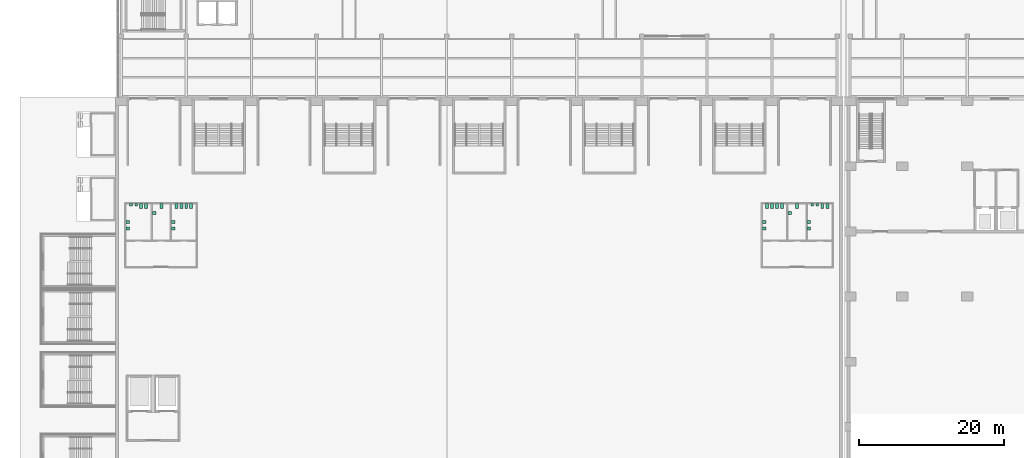
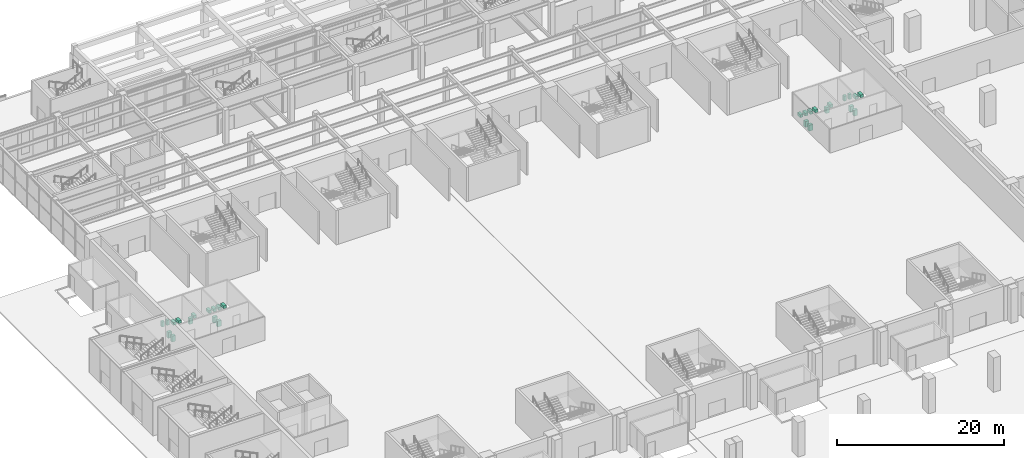
# One storey, part 75 of 77: 28 sanitary terminals.
"""IFC4 building model written with IfcOpenShell, lengths in metres."""

from ifc_helpers import new_model, si_unit, direction, frame, origin, origin_2d, place, context, subcontext, project, spatial, rectangle, extrude, material, type_object, element, save


model = new_model("IFC4")

# Units and contexts
model_context = context("Model", 3, precision=1e-05, world=origin(), true_north=direction((0.0, 1.0)))
body_context = subcontext(model_context, "Body", "Model", "MODEL_VIEW")
ifc_project = project(units=[si_unit("LENGTHUNIT", "METRE"), si_unit("AREAUNIT", "SQUARE_METRE"), si_unit("VOLUMEUNIT", "CUBIC_METRE"), si_unit("PLANEANGLEUNIT", "RADIAN"), si_unit("MASSUNIT", "GRAM", prefix="KILO")], contexts=[model_context])

# Site, building, storey
site_placement = place(None, origin())
site = spatial("IfcSite", under=ifc_project, at=site_placement, CompositionType="ELEMENT")
building_placement = place(site_placement, origin())
building = spatial("IfcBuilding", under=site, at=building_placement, Name="Aravalli Gate Trade Fair Centre", CompositionType="ELEMENT")
storey_placement = place(building_placement, origin())
storey = spatial("IfcBuildingStorey", under=building, at=storey_placement, Name="L00", CompositionType="ELEMENT", Elevation=0.0)

# Sanitary terminals
ifc_material = material(Name="Ceramic")
sanitary_terminal_type_1 = type_object("IfcSanitaryTerminalType", Name="WC fitting hand basin", PredefinedType="WASHHANDBASIN", material=ifc_material)
for number, where, z_axis, x_axis, name in (
    (1, (6.89990234375, 91.39990234375, 0.0), (0.0, 0.0, 1.0), (1.0, 0.0, 0.0), "Hand basin Men W L00 5"),
    (2, (6.89990234375, 92.300048828125, 0.0), (0.0, 0.0, 1.0), (1.0, 0.0, 0.0), "Hand basin Men W L00 6"),
    (3, (13.199951171875, 91.39990234375, 0.0), (0.0, 0.0, 1.0), (1.0, 0.0, 0.0), "Hand basin Women W L00 5"),
    (4, (13.199951171875, 92.300048828125, 0.0), (0.0, 0.0, 1.0), (1.0, 0.0, 0.0), "Hand basin Women W L00 6"),
    (5, (10.550048828125, 93.550048828125, 0.0), (0.0, 0.0, 1.0), (1.0, 0.0, 0.0), "Hand basin Accessible W L00 2"),
    (6, (101.10009765625, 91.39990234375, 0.0), (0.0, 0.0, 1.0), (1.0, 0.0, 0.0), "Hand basin Men E L00 5"),
    (7, (101.10009765625, 92.300048828125, 0.0), (0.0, 0.0, 1.0), (1.0, 0.0, 0.0), "Hand basin Men E L00 6"),
    (8, (94.89990234375, 91.39990234375, 0.0), (0.0, 0.0, 1.0), (1.0, 0.0, 0.0), "Hand basin Women E L00 5"),
    (9, (94.89990234375, 92.300048828125, 0.0), (0.0, 0.0, 1.0), (1.0, 0.0, 0.0), "Hand basin Women E L00 6"),
    (10, (98.449951171875, 93.550048828125, 0.0), (0.0, 0.0, 1.0), (1.0, 0.0, 0.0), "Hand basin Accessible E L00 2"),
):
    element("IfcSanitaryTerminal", number, at=place(storey_placement, frame(where, z_axis=z_axis, x_axis=x_axis)), inside=storey, type_object=sanitary_terminal_type_1, Name=name, PredefinedType="WASHHANDBASIN", context=body_context, shape_type="SweptSolid", body=[
        extrude(rectangle(XDim=0.5, YDim=0.39990234375, at=origin_2d()), origin(), (0.0, 0.0, 1.0), 0.85009765625),
    ])
sanitary_terminal_type_2 = type_object("IfcSanitaryTerminalType", Name="WC fitting urinal", PredefinedType="URINAL", material=ifc_material)
for number, where, z_axis, x_axis, name in (
    (11, (7.35009765625, 94.675048828125, 0.0), (0.0, 0.0, 1.0), (1.0, 0.0, 0.0), "Urinal Men W L00 1"),
    (12, (8.050048828125, 94.675048828125, 0.0), (0.0, 0.0, 1.0), (1.0, 0.0, 0.0), "Urinal Men W L00 2"),
    (13, (101.550048828125, 94.675048828125, 0.0), (0.0, 0.0, 1.0), (1.0, 0.0, 0.0), "Urinal Men E L00 1"),
    (14, (102.25, 94.675048828125, 0.0), (0.0, 0.0, 1.0), (1.0, 0.0, 0.0), "Urinal Men E L00 2"),
):
    element("IfcSanitaryTerminal", number, at=place(storey_placement, frame(where, z_axis=z_axis, x_axis=x_axis)), inside=storey, type_object=sanitary_terminal_type_2, Name=name, PredefinedType="URINAL", context=body_context, shape_type="SweptSolid", body=[
        extrude(rectangle(XDim=0.35009765625, YDim=0.35009765625, at=origin_2d()), origin(), (0.0, 0.0, 1.0), 0.75),
    ])
sanitary_terminal_type_3 = type_object("IfcSanitaryTerminalType", Name="WC fitting wc pan", PredefinedType="TOILETPAN", material=ifc_material)
for number, where, z_axis, x_axis, name in (
    (15, (8.75, 94.5, 0.0), (0.0, 0.0, 1.0), (1.0, 0.0, 0.0), "WC pan Men W L00 3"),
    (16, (9.449951171875, 94.5, 0.0), (0.0, 0.0, 1.0), (1.0, 0.0, 0.0), "WC pan Men W L00 4"),
    (17, (13.6298828125, 94.5, 0.0), (0.0, 0.0, 1.0), (1.0, 0.0, 0.0), "WC pan Women W L00 1"),
    (18, (14.31005859375, 94.5, 0.0), (0.0, 0.0, 1.0), (1.0, 0.0, 0.0), "WC pan Women W L00 2"),
    (19, (14.989990234375, 94.5, 0.0), (0.0, 0.0, 1.0), (1.0, 0.0, 0.0), "WC pan Women W L00 3"),
    (20, (15.669921875, 94.5, 0.0), (0.0, 0.0, 1.0), (1.0, 0.0, 0.0), "WC pan Women W L00 4"),
    (21, (11.550048828125, 94.5, 0.0), (0.0, 0.0, 1.0), (1.0, 0.0, 0.0), "WC pan Accessible W L00 1"),
    (22, (102.949951171875, 94.5, 0.0), (0.0, 0.0, 1.0), (1.0, 0.0, 0.0), "WC pan Men E L00 3"),
    (23, (103.64990234375, 94.5, 0.0), (0.0, 0.0, 1.0), (1.0, 0.0, 0.0), "WC pan Men E L00 4"),
    (24, (95.330078125, 94.5, 0.0), (0.0, 0.0, 1.0), (1.0, 0.0, 0.0), "WC pan Women E L00 1"),
    (25, (96.010009765625, 94.5, 0.0), (0.0, 0.0, 1.0), (1.0, 0.0, 0.0), "WC pan Women E L00 2"),
    (26, (96.68994140625, 94.5, 0.0), (0.0, 0.0, 1.0), (1.0, 0.0, 0.0), "WC pan Women E L00 3"),
    (27, (97.3701171875, 94.5, 0.0), (0.0, 0.0, 1.0), (1.0, 0.0, 0.0), "WC pan Women E L00 4"),
    (28, (99.449951171875, 94.5, 0.0), (0.0, 0.0, 1.0), (1.0, 0.0, 0.0), "WC pan Accessible E L00 1"),
):
    element("IfcSanitaryTerminal", number, at=place(storey_placement, frame(where, z_axis=z_axis, x_axis=x_axis)), inside=storey, type_object=sanitary_terminal_type_3, Name=name, PredefinedType="TOILETPAN", context=body_context, shape_type="SweptSolid", body=[
        extrude(rectangle(XDim=0.39990234375, YDim=0.699951171875, at=origin_2d()), origin(), (0.0, 0.0, 1.0), 0.39990234375),
    ])

save(model, "model.ifc")
